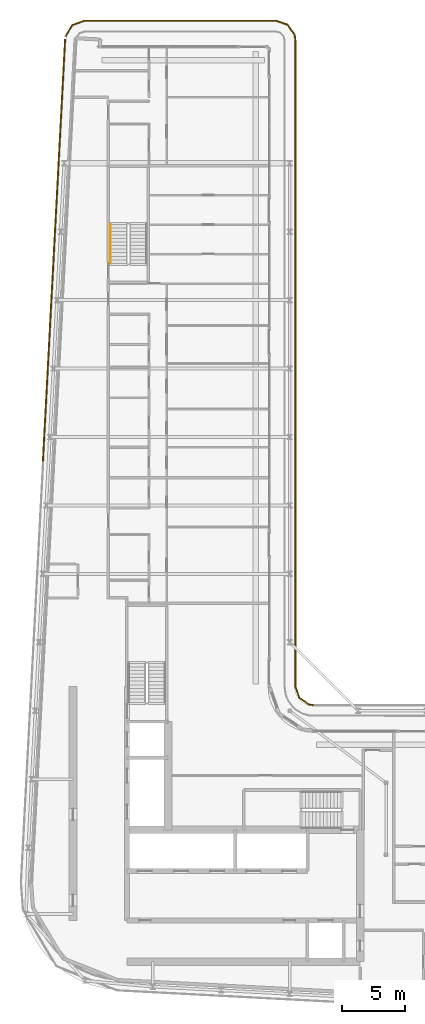
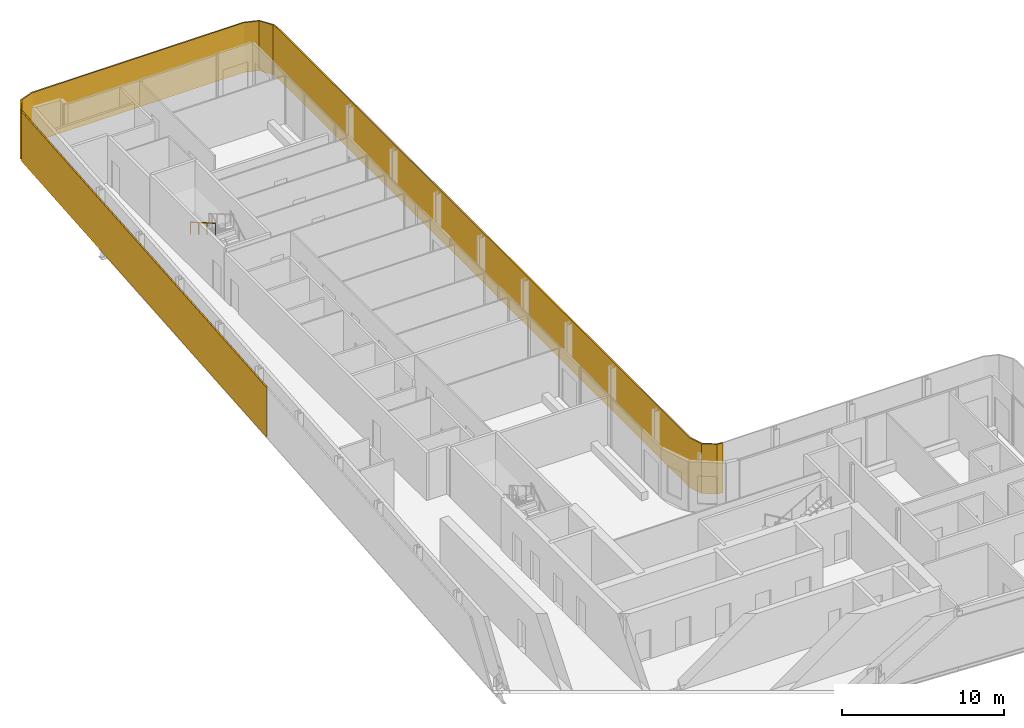
# One storey, part 19 of 21: 2 shading devices, 1 railing.
"""IFC4 building model written with IfcOpenShell, lengths in metres."""

from ifc_helpers import new_model, si_unit, direction, frame, origin, origin_2d, place, context, subcontext, project, spatial, polyline, rectangle, circle, outline, extrude, material, layer, layer_set, type_object, element, save


model = new_model("IFC4")

# Units and contexts
model_context = context("Model", 3, precision=1e-05, world=origin(), true_north=direction((0.0, 1.0)))
body_context = subcontext(model_context, "Body", "Model", "MODEL_VIEW")
ifc_project = project(units=[si_unit("LENGTHUNIT", "METRE"), si_unit("AREAUNIT", "SQUARE_METRE"), si_unit("VOLUMEUNIT", "CUBIC_METRE"), si_unit("PLANEANGLEUNIT", "RADIAN"), si_unit("MASSUNIT", "GRAM", prefix="KILO")], contexts=[model_context])

# Site, building, storey
site_placement = place(None, origin())
site = spatial("IfcSite", under=ifc_project, at=site_placement, CompositionType="ELEMENT")
building_placement = place(site_placement, origin())
building = spatial("IfcBuilding", under=site, at=building_placement, Name="Kheshtan School and Residences Tower", CompositionType="ELEMENT")
storey_placement = place(building_placement, frame((0.0, 0.0, 294.199951171875)))
storey = spatial("IfcBuildingStorey", under=building, at=storey_placement, Name="L69", CompositionType="ELEMENT", Elevation=294.199951171875)

# Shading devices
ifc_material_1 = material(Name="Terracotta baguette, extruded ceramic", Category="masonry")
ifc_layer_1 = layer(ifc_material_1, 0.10009765625)
ifc_layer_set_1 = layer_set([ifc_layer_1], Name="Ledge screen, terracotta baguettes")
shading_device_type_1 = type_object("IfcShadingDeviceType", Name="Ledge screen, terracotta baguettes", PredefinedType="USERDEFINED", material=ifc_layer_set_1)
shading_device_1_placement = place(storey_placement, frame((28.9990234375, 81.93408203125, 0.0), z_axis=(0.0, 0.0, 1.0), x_axis=(0.052562536748, 0.998617634398, 0.0)))
element("IfcShadingDevice", 1, at=shading_device_1_placement, inside=storey, type_object=shading_device_type_1, Name="Screen L69 5", ObjectType="BAGUETTE", PredefinedType="USERDEFINED", context=body_context, shape_type="SweptSolid", body=[
    extrude(rectangle(XDim=33.341064453125, YDim=0.10009765625, at=origin_2d()), origin(), (0.0, 0.0, 1.0), 3.75),
])
ifc_material_2 = material(Name="Terracotta lattice, extruded ceramic", Category="masonry")
ifc_layer_2 = layer(ifc_material_2, 0.10009765625)
ifc_layer_set_2 = layer_set([ifc_layer_2], Name="Loggia screen, terracotta lattice")
shading_device_type_2 = type_object("IfcShadingDeviceType", Name="Loggia screen, terracotta lattice", PredefinedType="USERDEFINED", material=ifc_layer_set_2)
shading_device_2_placement = place(storey_placement, origin())
element("IfcShadingDevice", 2, at=shading_device_2_placement, inside=storey, type_object=shading_device_type_2, Name="Screen L69 1", ObjectType="SCREEN", PredefinedType="USERDEFINED", context=body_context, shape_type="SweptSolid", body=[
    extrude(outline(polyline([(29.949951171875, 98.783935546875), (30.468017578125, 99.656982421875), (31.423095703125, 100.0), (46.5, 100.0), (47.4130859375, 99.68994140625), (47.948974609375, 98.887939453125), (48.0, 98.5), (48.0, 47.5), (48.31005859375, 46.5869140625), (49.112060546875, 46.051025390625), (49.5, 46.0), (49.512939453125, 46.09912109375), (49.14794921875, 46.14697265625), (48.39404296875, 46.65087890625), (48.10009765625, 47.51708984375), (48.10009765625, 98.507080078125), (48.044921875, 98.924072265625), (47.47705078125, 99.77392578125), (46.51708984375, 100.10009765625), (31.406005859375, 100.10009765625), (30.39990234375, 99.739013671875), (29.864013671875, 98.8349609375), (29.949951171875, 98.783935546875)])), origin(), (0.0, 0.0, 1.0), 3.75),
])

# Railing
ifc_material_3 = material(Name="Stainless steel handrail", Category="steel")
railing_type = type_object("IfcRailingType", Name="Stair handrail 900", PredefinedType="HANDRAIL", material=ifc_material_3)
railing_placement = place(storey_placement, frame((33.449951171875, 83.97998046875, 2.112548828125)))
element("IfcRailing", 3, at=railing_placement, inside=storey, type_object=railing_type, Name="L69 ST3 stair handrail 2", PredefinedType="HANDRAIL", context=body_context, shape_type="SweptSolid", body=[
    extrude(circle(Radius=0.02392578125, at=origin_2d()), frame((0.0, 0.0, 0.8759765625), z_axis=(0.0, -0.864890721111, 0.501960198159), x_axis=(1.0, 0.0, 0.0)), (0.0, 0.0, 1.0), 3.561279296875),
    extrude(circle(Radius=0.02099609375, at=origin_2d()), origin(), (0.0, 0.0, 1.0), 0.851806640625),
    extrude(circle(Radius=0.02099609375, at=origin_2d()), frame((0.0, -1.026611328125, 0.595947265625)), (0.0, 0.0, 1.0), 0.851806640625),
    extrude(circle(Radius=0.02099609375, at=origin_2d()), frame((0.0, -2.053466796875, 1.191650390625)), (0.0, 0.0, 1.0), 0.851806640625),
    extrude(circle(Radius=0.02099609375, at=origin_2d()), frame((0.0, -3.080078125, 1.78759765625)), (0.0, 0.0, 1.0), 0.851806640625),
])

save(model, "model.ifc")
